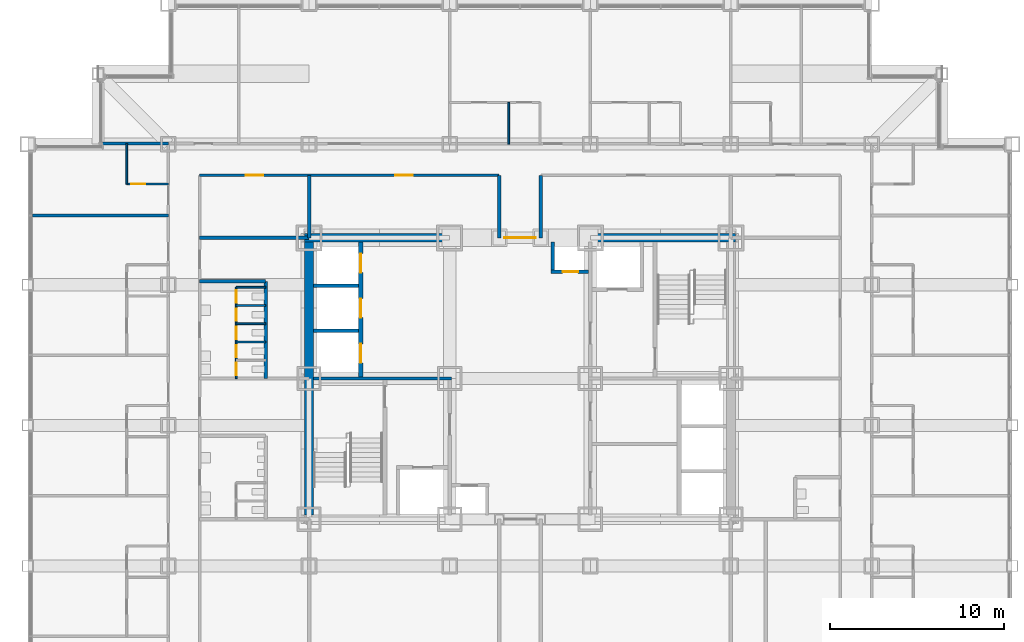
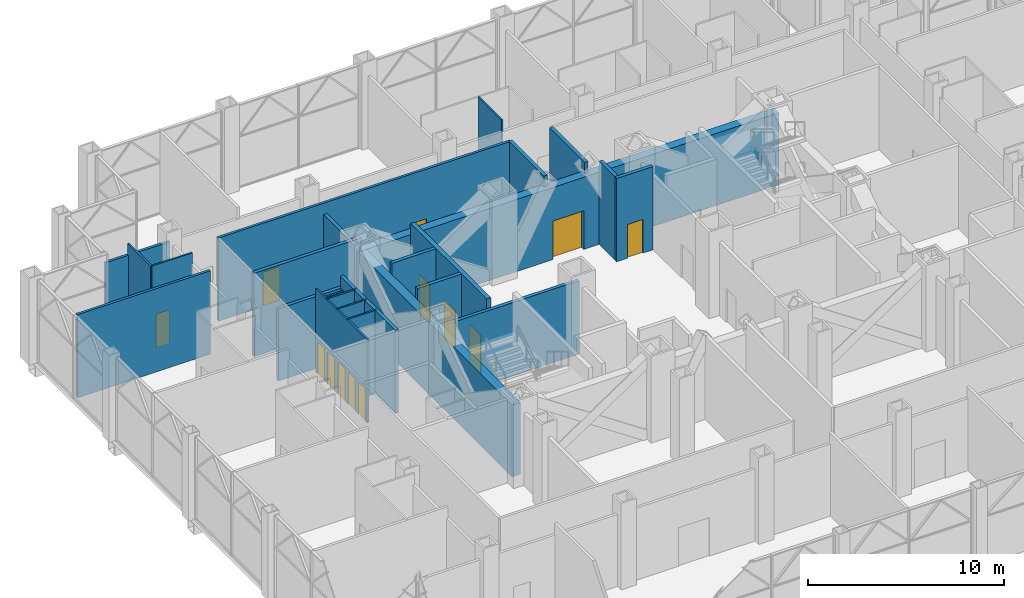
# One storey, part 22 of 26: 25 walls, 13 doors, 13 openings.
"""IFC4 building model written with IfcOpenShell, lengths in metres."""

from ifc_helpers import new_model, si_unit, direction, frame, frame_2d, origin, place, context, subcontext, project, spatial, rectangle, extrude, material, layer, layer_set, type_object, element, fill, save


model = new_model("IFC4")

# Units and contexts
model_context = context("Model", 3, precision=1e-05, world=origin(), true_north=direction((0.0, 1.0)))
body_context = subcontext(model_context, "Body", "Model", "MODEL_VIEW")
ifc_project = project(units=[si_unit("LENGTHUNIT", "METRE"), si_unit("AREAUNIT", "SQUARE_METRE"), si_unit("VOLUMEUNIT", "CUBIC_METRE"), si_unit("PLANEANGLEUNIT", "RADIAN"), si_unit("MASSUNIT", "GRAM", prefix="KILO")], contexts=[model_context])

# Site, building, storey
site_placement = place(None, origin())
site = spatial("IfcSite", under=ifc_project, at=site_placement, CompositionType="ELEMENT")
building_placement = place(site_placement, origin())
building = spatial("IfcBuilding", under=site, at=building_placement, Name="Kopane Lantern Tower", CompositionType="ELEMENT")
storey_placement = place(building_placement, frame((0.0, 0.0, 98.0)))
storey = spatial("IfcBuildingStorey", under=building, at=storey_placement, Name="L24", CompositionType="ELEMENT", Elevation=98.0)

# Walls
ifc_material_1 = material(Name="Moisture-resistant board on steel studs", Category="steel")
ifc_layer_1 = layer(ifc_material_1, 0.10009765625)
ifc_layer_set_1 = layer_set([ifc_layer_1], Name="BATHROOM WALL 100")
wall_type_1 = type_object("IfcWallType", Name="BATHROOM WALL 100", PredefinedType="PARTITIONING", material=ifc_layer_set_1)
wall_1_placement = place(storey_placement, frame((27.699951171875, 45.89990234375, 0.0), z_axis=(0.0, 0.0, 1.0), x_axis=(0.0, 1.0, 0.0)))
element("IfcWall", 1, at=wall_1_placement, inside=storey, type_object=wall_type_1, Name="Bathroom Wall 100 L24", PredefinedType="PARTITIONING", context=body_context, shape_type="SweptSolid", body=[
    extrude(rectangle(XDim=2.400146484375, YDim=0.10009765625, at=frame_2d((1.2001953125, 0.0))), origin(), (0.0, 0.0, 1.0), 5.18994140625),
])
wall_2_placement = place(storey_placement, frame((5.699951171875, 43.60009765625, 0.0), z_axis=(0.0, 0.0, 1.0), x_axis=(0.0, 1.0, 0.0)))
element("IfcWall", 2, at=wall_2_placement, inside=storey, type_object=wall_type_1, Name="Bathroom Wall 100 L24", PredefinedType="PARTITIONING", context=body_context, shape_type="SweptSolid", body=[
    extrude(rectangle(XDim=2.3349609375, YDim=0.10009765625, at=frame_2d((1.16748046875, 0.0))), origin(), (0.0, 0.0, 1.0), 5.18994140625),
])

# Wall, opening, door
wall_3_placement = place(storey_placement, frame((8.10009765625, 43.60009765625, 0.0), z_axis=(0.0, 0.0, 1.0), x_axis=(-1.0, 0.0, 0.0)))
wall_3 = element("IfcWall", 3, at=wall_3_placement, inside=storey, type_object=wall_type_1, Name="Bathroom Wall 100 L24", PredefinedType="PARTITIONING", context=body_context, shape_type="SweptSolid", body=[
    extrude(rectangle(XDim=2.400146484375, YDim=0.10009765625, at=frame_2d((1.2001953125, 0.0))), origin(), (0.0, 0.0, 1.0), 5.18994140625),
])
opening_1_placement = place(wall_3_placement, frame((1.35009765625, 0.0, 0.0)))
opening_1 = element("IfcOpeningElement", 4, at=opening_1_placement, cuts=wall_3, Name="Opening L24-041", PredefinedType="OPENING", context=body_context, shape_type="SweptSolid", body=[
    extrude(rectangle(XDim=0.800048828125, YDim=2.10009765625, at=frame_2d((0.39990234375, 1.050048828125))), frame((0.0, 0.06005859375, 0.0), z_axis=(0.0, -1.0, 0.0), x_axis=(1.0, 0.0, 0.0)), (0.0, 0.0, 1.0), 0.1201171875),
])
ifc_material_2 = material(Name="Timber door set", Category="wood")
door_type_1 = type_object("IfcDoorType", Name="DOOR D2 800x2100", OperationType="SINGLE_SWING_LEFT", PredefinedType="DOOR", material=ifc_material_2)
door_1_placement = place(opening_1_placement, origin())
door_1 = element("IfcDoor", 5, at=door_1_placement, inside=storey, type_object=door_type_1, Name="Door L24-041", OperationType="SINGLE_SWING_LEFT", OverallHeight=2.10009765625, OverallWidth=0.800048828125, PredefinedType="DOOR", context=body_context, shape_type="SweptSolid", body=[
    extrude(rectangle(XDim=0.800048828125, YDim=2.10009765625, at=frame_2d((0.39990234375, 1.050048828125))), frame((0.0, 0.02490234375, 0.0), z_axis=(0.0, -1.0, 0.0), x_axis=(1.0, 0.0, 0.0)), (0.0, 0.0, 1.0), 0.050048828125),
])
fill(opening_1, door_1)

# Wall, openings, doors
wall_4_placement = place(storey_placement, frame((12.0, 32.39990234375, 0.0), z_axis=(0.0, 0.0, 1.0), x_axis=(0.0, 1.0, 0.0)))
wall_4 = element("IfcWall", 6, at=wall_4_placement, inside=storey, type_object=wall_type_1, Name="Bathroom Wall 100 L24", PredefinedType="PARTITIONING", context=body_context, shape_type="SweptSolid", body=[
    extrude(rectangle(XDim=5.25, YDim=0.10009765625, at=frame_2d((2.625, 0.0))), origin(), (0.0, 0.0, 1.0), 5.18994140625),
])
opening_2_placement = place(wall_4_placement, frame((0.199951171875, 0.0, 0.0)))
opening_2 = element("IfcOpeningElement", 7, at=opening_2_placement, cuts=wall_4, Name="Opening L24-061", PredefinedType="OPENING", context=body_context, shape_type="SweptSolid", body=[
    extrude(rectangle(XDim=0.699951171875, YDim=2.0, at=frame_2d((0.35009765625, 1.0))), frame((0.0, 0.06005859375, 0.0), z_axis=(0.0, -1.0, 0.0), x_axis=(1.0, 0.0, 0.0)), (0.0, 0.0, 1.0), 0.1201171875),
])
opening_3_placement = place(wall_4_placement, frame((1.22509765625, 0.0, 0.0)))
opening_3 = element("IfcOpeningElement", 8, at=opening_3_placement, cuts=wall_4, Name="Opening L24-062", PredefinedType="OPENING", context=body_context, shape_type="SweptSolid", body=[
    extrude(rectangle(XDim=0.699951171875, YDim=2.0, at=frame_2d((0.35009765625, 1.0))), frame((0.0, 0.06005859375, 0.0), z_axis=(0.0, -1.0, 0.0), x_axis=(1.0, 0.0, 0.0)), (0.0, 0.0, 1.0), 0.1201171875),
])
opening_4_placement = place(wall_4_placement, frame((2.27490234375, 0.0, 0.0)))
opening_4 = element("IfcOpeningElement", 9, at=opening_4_placement, cuts=wall_4, Name="Opening L24-063", PredefinedType="OPENING", context=body_context, shape_type="SweptSolid", body=[
    extrude(rectangle(XDim=0.699951171875, YDim=2.0, at=frame_2d((0.35009765625, 1.0))), frame((0.0, 0.06005859375, 0.0), z_axis=(0.0, -1.0, 0.0), x_axis=(1.0, 0.0, 0.0)), (0.0, 0.0, 1.0), 0.1201171875),
])
opening_5_placement = place(wall_4_placement, frame((3.324951171875, 0.0, 0.0)))
opening_5 = element("IfcOpeningElement", 10, at=opening_5_placement, cuts=wall_4, Name="Opening L24-064", PredefinedType="OPENING", context=body_context, shape_type="SweptSolid", body=[
    extrude(rectangle(XDim=0.699951171875, YDim=2.0, at=frame_2d((0.35009765625, 1.0))), frame((0.0, 0.06005859375, 0.0), z_axis=(0.0, -1.0, 0.0), x_axis=(1.0, 0.0, 0.0)), (0.0, 0.0, 1.0), 0.1201171875),
])
opening_6_placement = place(wall_4_placement, frame((4.375, 0.0, 0.0)))
opening_6 = element("IfcOpeningElement", 11, at=opening_6_placement, cuts=wall_4, Name="Opening L24-065", PredefinedType="OPENING", context=body_context, shape_type="SweptSolid", body=[
    extrude(rectangle(XDim=0.699951171875, YDim=2.0, at=frame_2d((0.35009765625, 1.0))), frame((0.0, 0.06005859375, 0.0), z_axis=(0.0, -1.0, 0.0), x_axis=(1.0, 0.0, 0.0)), (0.0, 0.0, 1.0), 0.1201171875),
])
ifc_material_3 = material(Name="Timber door set", Category="wood")
door_type_2 = type_object("IfcDoorType", Name="DOOR D13 700x2000 WC CUBICLE", OperationType="SINGLE_SWING_LEFT", PredefinedType="DOOR", material=ifc_material_3)
door_2_placement = place(opening_2_placement, origin())
door_2 = element("IfcDoor", 12, at=door_2_placement, inside=storey, type_object=door_type_2, Name="Door L24-061", OperationType="SINGLE_SWING_LEFT", OverallHeight=2.0, OverallWidth=0.699951171875, PredefinedType="DOOR", context=body_context, shape_type="SweptSolid", body=[
    extrude(rectangle(XDim=0.699951171875, YDim=2.0, at=frame_2d((0.35009765625, 1.0))), frame((0.0, 0.02490234375, 0.0), z_axis=(0.0, -1.0, 0.0), x_axis=(1.0, 0.0, 0.0)), (0.0, 0.0, 1.0), 0.050048828125),
])
fill(opening_2, door_2)
door_3_placement = place(opening_3_placement, origin())
door_3 = element("IfcDoor", 13, at=door_3_placement, inside=storey, type_object=door_type_2, Name="Door L24-062", OperationType="SINGLE_SWING_RIGHT", OverallHeight=2.0, OverallWidth=0.699951171875, PredefinedType="DOOR", context=body_context, shape_type="SweptSolid", body=[
    extrude(rectangle(XDim=0.699951171875, YDim=2.0, at=frame_2d((0.35009765625, 1.0))), frame((0.0, 0.02490234375, 0.0), z_axis=(0.0, -1.0, 0.0), x_axis=(1.0, 0.0, 0.0)), (0.0, 0.0, 1.0), 0.050048828125),
])
fill(opening_3, door_3)
door_4_placement = place(opening_4_placement, origin())
door_4 = element("IfcDoor", 14, at=door_4_placement, inside=storey, type_object=door_type_2, Name="Door L24-063", OperationType="SINGLE_SWING_LEFT", OverallHeight=2.0, OverallWidth=0.699951171875, PredefinedType="DOOR", context=body_context, shape_type="SweptSolid", body=[
    extrude(rectangle(XDim=0.699951171875, YDim=2.0, at=frame_2d((0.35009765625, 1.0))), frame((0.0, 0.02490234375, 0.0), z_axis=(0.0, -1.0, 0.0), x_axis=(1.0, 0.0, 0.0)), (0.0, 0.0, 1.0), 0.050048828125),
])
fill(opening_4, door_4)
door_5_placement = place(opening_5_placement, origin())
door_5 = element("IfcDoor", 15, at=door_5_placement, inside=storey, type_object=door_type_2, Name="Door L24-064", OperationType="SINGLE_SWING_RIGHT", OverallHeight=2.0, OverallWidth=0.699951171875, PredefinedType="DOOR", context=body_context, shape_type="SweptSolid", body=[
    extrude(rectangle(XDim=0.699951171875, YDim=2.0, at=frame_2d((0.35009765625, 1.0))), frame((0.0, 0.02490234375, 0.0), z_axis=(0.0, -1.0, 0.0), x_axis=(1.0, 0.0, 0.0)), (0.0, 0.0, 1.0), 0.050048828125),
])
fill(opening_5, door_5)
door_6_placement = place(opening_6_placement, origin())
door_6 = element("IfcDoor", 16, at=door_6_placement, inside=storey, type_object=door_type_2, Name="Door L24-065", OperationType="SINGLE_SWING_LEFT", OverallHeight=2.0, OverallWidth=0.699951171875, PredefinedType="DOOR", context=body_context, shape_type="SweptSolid", body=[
    extrude(rectangle(XDim=0.699951171875, YDim=2.0, at=frame_2d((0.35009765625, 1.0))), frame((0.0, 0.02490234375, 0.0), z_axis=(0.0, -1.0, 0.0), x_axis=(1.0, 0.0, 0.0)), (0.0, 0.0, 1.0), 0.050048828125),
])
fill(opening_6, door_6)

# Walls
for number, where, z_axis, x_axis, name in (
    (17, (12.0, 34.5, 0.0), (0.0, 0.0, 1.0), (1.0, 0.0, 0.0), "Bathroom Wall 100 L24"),
    (18, (12.0, 35.550048828125, 0.0), (0.0, 0.0, 1.0), (1.0, 0.0, 0.0), "Bathroom Wall 100 L24"),
    (19, (12.0, 36.60009765625, 0.0), (0.0, 0.0, 1.0), (1.0, 0.0, 0.0), "Bathroom Wall 100 L24"),
):
    element("IfcWall", number, at=place(storey_placement, frame(where, z_axis=z_axis, x_axis=x_axis)), inside=storey, type_object=wall_type_1, Name=name, PredefinedType="PARTITIONING", context=body_context, shape_type="SweptSolid", body=[
        extrude(rectangle(XDim=1.699951171875, YDim=0.10009765625, at=frame_2d((0.85009765625, 0.0))), origin(), (0.0, 0.0, 1.0), 5.18994140625),
    ])
wall_5_placement = place(storey_placement, frame((12.0, 37.64990234375, 0.0), z_axis=(0.0, 0.0, 1.0), x_axis=(1.0, 0.0, 0.0)))
element("IfcWall", 20, at=wall_5_placement, inside=storey, type_object=wall_type_1, Name="Bathroom Wall 100 L24", PredefinedType="PARTITIONING", context=body_context, shape_type="SweptSolid", body=[
    extrude(rectangle(XDim=1.699951171875, YDim=0.10009765625, at=frame_2d((0.85009765625, 0.0))), origin(), (0.0, 0.0, 1.0), 4.489990234375),
])

# Wall, opening, door
ifc_material_4 = material(Name="Gypsum shaft wall EI 120", Category="gypsum")
ifc_layer_2 = layer(ifc_material_4, 0.5)
ifc_layer_set_2 = layer_set([ifc_layer_2], Name="CORE PERIMETER WALL 500 EI 120")
wall_type_2 = type_object("IfcWallType", Name="CORE PERIMETER WALL 500 EI 120", PredefinedType="SOLIDWALL", material=ifc_layer_set_2)
wall_6_placement = place(storey_placement, frame((15.949951171875, 40.5, 0.0), z_axis=(0.0, 0.0, 1.0), x_axis=(1.0, 0.0, 0.0)))
wall_6 = element("IfcWall", 21, at=wall_6_placement, inside=storey, type_object=wall_type_2, Name="Core shaft wall L24 PN", PredefinedType="SOLIDWALL", context=body_context, shape_type="SweptSolid", body=[
    extrude(rectangle(XDim=24.800048828125, YDim=0.5, at=frame_2d((12.39990234375, 0.0))), origin(), (0.0, 0.0, 1.0), 4.489990234375),
])
opening_7_placement = place(wall_6_placement, frame((11.5, 0.0, 0.0)))
opening_7 = element("IfcOpeningElement", 22, at=opening_7_placement, cuts=wall_6, Name="Opening 24.CE-N", PredefinedType="OPENING", context=body_context, shape_type="SweptSolid", body=[
    extrude(rectangle(XDim=1.800048828125, YDim=2.39990234375, at=frame_2d((0.89990234375, 1.199951171875))), frame((0.0, 0.260009765625, 0.0), z_axis=(0.0, -1.0, 0.0), x_axis=(1.0, 0.0, 0.0)), (0.0, 0.0, 1.0), 0.52001953125),
])
ifc_material_5 = material(Name="Steel door set", Category="steel")
door_type_3 = type_object("IfcDoorType", Name="CORE ENTRY DOOR 1800x2400 FD60S", OperationType="DOUBLE_DOOR_SINGLE_SWING", PredefinedType="DOOR", material=ifc_material_5)
door_7_placement = place(opening_7_placement, origin())
door_7 = element("IfcDoor", 23, at=door_7_placement, inside=storey, type_object=door_type_3, Name="Core entry door L24 north", OperationType="DOUBLE_DOOR_SINGLE_SWING", OverallHeight=2.39990234375, OverallWidth=1.800048828125, PredefinedType="DOOR", context=body_context, shape_type="SweptSolid", body=[
    extrude(rectangle(XDim=1.800048828125, YDim=2.39990234375, at=frame_2d((0.89990234375, 1.199951171875))), frame((0.0, 0.02490234375, 0.0), z_axis=(0.0, -1.0, 0.0), x_axis=(1.0, 0.0, 0.0)), (0.0, 0.0, 1.0), 0.050048828125),
])
fill(opening_7, door_7)

# Wall
wall_7_placement = place(storey_placement, frame((16.199951171875, 24.550048828125, 0.0), z_axis=(0.0, 0.0, 1.0), x_axis=(0.0, 1.0, 0.0)))
element("IfcWall", 24, at=wall_7_placement, inside=storey, type_object=wall_type_2, Name="Core shaft wall L24 PW", PredefinedType="SOLIDWALL", context=body_context, shape_type="SweptSolid", body=[
    extrude(rectangle(XDim=15.699951171875, YDim=0.5, at=frame_2d((7.85009765625, 0.0))), origin(), (0.0, 0.0, 1.0), 4.489990234375),
])

# Wall, openings, doors
ifc_material_6 = material(Name="Gypsum shaft wall EI 120", Category="gypsum")
ifc_layer_3 = layer(ifc_material_6, 0.25)
ifc_layer_set_3 = layer_set([ifc_layer_3], Name="CORE SHAFT WALL 250 EI 120")
wall_type_3 = type_object("IfcWallType", Name="CORE SHAFT WALL 250 EI 120", PredefinedType="SOLIDWALL", material=ifc_layer_set_3)
wall_8_placement = place(storey_placement, frame((19.175048828125, 32.5, 0.0), z_axis=(0.0, 0.0, 1.0), x_axis=(0.0, 1.0, 0.0)))
wall_8 = element("IfcWall", 25, at=wall_8_placement, inside=storey, type_object=wall_type_3, Name="Core shaft wall L24 XLH", PredefinedType="SOLIDWALL", context=body_context, shape_type="SweptSolid", body=[
    extrude(rectangle(XDim=7.75, YDim=0.25, at=frame_2d((3.875, 0.0))), origin(), (0.0, 0.0, 1.0), 5.18994140625),
])
opening_8_placement = place(wall_8_placement, frame((0.800048828125, 0.0, 0.0)))
opening_8 = element("IfcOpeningElement", 26, at=opening_8_placement, cuts=wall_8, Name="Opening 24.LD-LH1", PredefinedType="OPENING", context=body_context, shape_type="SweptSolid", body=[
    extrude(rectangle(XDim=1.10009765625, YDim=2.39990234375, at=frame_2d((0.550048828125, 1.199951171875))), frame((0.0, 0.135009765625, 0.0), z_axis=(0.0, -1.0, 0.0), x_axis=(1.0, 0.0, 0.0)), (0.0, 0.0, 1.0), 0.27001953125),
])
opening_9_placement = place(wall_8_placement, frame((3.39990234375, 0.0, 0.0)))
opening_9 = element("IfcOpeningElement", 27, at=opening_9_placement, cuts=wall_8, Name="Opening 24.LD-LH2", PredefinedType="OPENING", context=body_context, shape_type="SweptSolid", body=[
    extrude(rectangle(XDim=1.10009765625, YDim=2.39990234375, at=frame_2d((0.550048828125, 1.199951171875))), frame((0.0, 0.135009765625, 0.0), z_axis=(0.0, -1.0, 0.0), x_axis=(1.0, 0.0, 0.0)), (0.0, 0.0, 1.0), 0.27001953125),
])
opening_10_placement = place(wall_8_placement, frame((6.0, 0.0, 0.0)))
opening_10 = element("IfcOpeningElement", 28, at=opening_10_placement, cuts=wall_8, Name="Opening 24.LD-LH3", PredefinedType="OPENING", context=body_context, shape_type="SweptSolid", body=[
    extrude(rectangle(XDim=1.10009765625, YDim=2.39990234375, at=frame_2d((0.550048828125, 1.199951171875))), frame((0.0, 0.135009765625, 0.0), z_axis=(0.0, -1.0, 0.0), x_axis=(1.0, 0.0, 0.0)), (0.0, 0.0, 1.0), 0.27001953125),
])
ifc_material_7 = material(Name="Steel door set", Category="steel")
door_type_4 = type_object("IfcDoorType", Name="LIFT LANDING DOOR 1100x2400 FD60", OperationType="DOUBLE_DOOR_SLIDING", PredefinedType="DOOR", material=ifc_material_7)
door_8_placement = place(opening_8_placement, origin())
door_8 = element("IfcDoor", 29, at=door_8_placement, inside=storey, type_object=door_type_4, Name="Landing door LH1 L24", OperationType="DOUBLE_DOOR_SLIDING", OverallHeight=2.39990234375, OverallWidth=1.10009765625, PredefinedType="DOOR", context=body_context, shape_type="SweptSolid", body=[
    extrude(rectangle(XDim=1.10009765625, YDim=2.39990234375, at=frame_2d((0.550048828125, 1.199951171875))), frame((0.0, 0.02490234375, 0.0), z_axis=(0.0, -1.0, 0.0), x_axis=(1.0, 0.0, 0.0)), (0.0, 0.0, 1.0), 0.050048828125),
])
fill(opening_8, door_8)
door_9_placement = place(opening_9_placement, origin())
door_9 = element("IfcDoor", 30, at=door_9_placement, inside=storey, type_object=door_type_4, Name="Landing door LH2 L24", OperationType="DOUBLE_DOOR_SLIDING", OverallHeight=2.39990234375, OverallWidth=1.10009765625, PredefinedType="DOOR", context=body_context, shape_type="SweptSolid", body=[
    extrude(rectangle(XDim=1.10009765625, YDim=2.39990234375, at=frame_2d((0.550048828125, 1.199951171875))), frame((0.0, 0.02490234375, 0.0), z_axis=(0.0, -1.0, 0.0), x_axis=(1.0, 0.0, 0.0)), (0.0, 0.0, 1.0), 0.050048828125),
])
fill(opening_9, door_9)
door_10_placement = place(opening_10_placement, origin())
door_10 = element("IfcDoor", 31, at=door_10_placement, inside=storey, type_object=door_type_4, Name="Landing door LH3 L24", OperationType="DOUBLE_DOOR_SLIDING", OverallHeight=2.39990234375, OverallWidth=1.10009765625, PredefinedType="DOOR", context=body_context, shape_type="SweptSolid", body=[
    extrude(rectangle(XDim=1.10009765625, YDim=2.39990234375, at=frame_2d((0.550048828125, 1.199951171875))), frame((0.0, 0.02490234375, 0.0), z_axis=(0.0, -1.0, 0.0), x_axis=(1.0, 0.0, 0.0)), (0.0, 0.0, 1.0), 0.050048828125),
])
fill(opening_10, door_10)

ifc_material_8 = material(Name="Gypsum board on steel studs", Category="steel")
ifc_layer_4 = layer(ifc_material_8, 0.14990234375)
ifc_layer_set_4 = layer_set([ifc_layer_4], Name="CORRIDOR WALL 150 EI 60")
wall_type_4 = type_object("IfcWallType", Name="CORRIDOR WALL 150 EI 60", PredefinedType="PARTITIONING", material=ifc_layer_set_4)
wall_9_placement = place(storey_placement, frame((27.139892578125, 44.10009765625, 0.0), z_axis=(0.0, 0.0, 1.0), x_axis=(-1.0, 0.0, 0.0)))
wall_9 = element("IfcWall", 32, at=wall_9_placement, inside=storey, type_object=wall_type_4, Name="Corridor Wall 150 Ei 60 L24", PredefinedType="PARTITIONING", context=body_context, shape_type="SweptSolid", body=[
    extrude(rectangle(XDim=17.239990234375, YDim=0.14990234375, at=frame_2d((8.6201171875, 0.0))), origin(), (0.0, 0.0, 1.0), 5.18994140625),
])
opening_11_placement = place(wall_9_placement, frame((13.590087890625, 0.0, 0.0)))
opening_11 = element("IfcOpeningElement", 33, at=opening_11_placement, cuts=wall_9, Name="Opening L24-013", PredefinedType="OPENING", context=body_context, shape_type="SweptSolid", body=[
    extrude(rectangle(XDim=1.0, YDim=2.10009765625, at=frame_2d((0.5, 1.050048828125))), frame((0.0, 0.0849609375, 0.0), z_axis=(0.0, -1.0, 0.0), x_axis=(1.0, 0.0, 0.0)), (0.0, 0.0, 1.0), 0.169921875),
])
opening_12_placement = place(wall_9_placement, frame((4.965087890625, 0.0, 0.0)))
opening_12 = element("IfcOpeningElement", 34, at=opening_12_placement, cuts=wall_9, Name="Opening L24-014", PredefinedType="OPENING", context=body_context, shape_type="SweptSolid", body=[
    extrude(rectangle(XDim=1.0, YDim=2.10009765625, at=frame_2d((0.5, 1.050048828125))), frame((0.0, 0.0849609375, 0.0), z_axis=(0.0, -1.0, 0.0), x_axis=(1.0, 0.0, 0.0)), (0.0, 0.0, 1.0), 0.169921875),
])
ifc_material_9 = material(Name="Steel door set", Category="steel")
door_type_5 = type_object("IfcDoorType", Name="DOOR D5 1000x2100 FD60", OperationType="SINGLE_SWING_LEFT", PredefinedType="DOOR", material=ifc_material_9)
door_11_placement = place(opening_11_placement, origin())
door_11 = element("IfcDoor", 35, at=door_11_placement, inside=storey, type_object=door_type_5, Name="Door L24-013", OperationType="SINGLE_SWING_RIGHT", OverallHeight=2.10009765625, OverallWidth=1.0, PredefinedType="DOOR", context=body_context, shape_type="SweptSolid", body=[
    extrude(rectangle(XDim=1.0, YDim=2.10009765625, at=frame_2d((0.5, 1.050048828125))), frame((0.0, 0.02490234375, 0.0), z_axis=(0.0, -1.0, 0.0), x_axis=(1.0, 0.0, 0.0)), (0.0, 0.0, 1.0), 0.050048828125),
])
fill(opening_11, door_11)
door_12_placement = place(opening_12_placement, origin())
door_12 = element("IfcDoor", 36, at=door_12_placement, inside=storey, type_object=door_type_5, Name="Door L24-014", OperationType="SINGLE_SWING_LEFT", OverallHeight=2.10009765625, OverallWidth=1.0, PredefinedType="DOOR", context=body_context, shape_type="SweptSolid", body=[
    extrude(rectangle(XDim=1.0, YDim=2.10009765625, at=frame_2d((0.5, 1.050048828125))), frame((0.0, 0.02490234375, 0.0), z_axis=(0.0, -1.0, 0.0), x_axis=(1.0, 0.0, 0.0)), (0.0, 0.0, 1.0), 0.050048828125),
])
fill(opening_12, door_12)

# Walls
ifc_material_10 = material(Name="Gypsum board on steel studs", Category="steel")
ifc_layer_5 = layer(ifc_material_10, 0.14990234375)
ifc_layer_set_5 = layer_set([ifc_layer_5], Name="DEMISING WALL 150 EI 60")
wall_type_5 = type_object("IfcWallType", Name="DEMISING WALL 150 EI 60", PredefinedType="PARTITIONING", material=ifc_layer_set_5)
wall_10_placement = place(storey_placement, frame((8.10009765625, 41.78759765625, 0.0), z_axis=(0.0, 0.0, 1.0), x_axis=(-1.0, 0.0, 0.0)))
element("IfcWall", 37, at=wall_10_placement, inside=storey, type_object=wall_type_5, Name="Demising Wall 150 Ei 60 L24", PredefinedType="PARTITIONING", context=body_context, shape_type="SweptSolid", body=[
    extrude(rectangle(XDim=7.834716796875, YDim=0.14990234375, at=frame_2d((3.91748046875, 0.0))), origin(), (0.0, 0.0, 1.0), 5.18994140625),
])
wall_11_placement = place(storey_placement, frame((4.3154296875, 45.93505859375, 0.0), z_axis=(0.0, 0.0, 1.0), x_axis=(1.0, 0.0, 0.0)))
element("IfcWall", 38, at=wall_11_placement, inside=storey, type_object=wall_type_5, Name="Demising Wall 150 Ei 60 L24", PredefinedType="PARTITIONING", context=body_context, shape_type="SweptSolid", body=[
    extrude(rectangle(XDim=3.78466796875, YDim=0.14990234375, at=frame_2d((1.892333984375, 0.0))), origin(), (0.0, 0.0, 1.0), 4.489990234375),
])
ifc_material_11 = material(Name="Concrete masonry", Category="masonry")
ifc_layer_6 = layer(ifc_material_11, 0.199951171875)
ifc_layer_set_6 = layer_set([ifc_layer_6], Name="PLANT ROOM WALL 200 EI 120")
wall_type_6 = type_object("IfcWallType", Name="PLANT ROOM WALL 200 EI 120", PredefinedType="SOLIDWALL", material=ifc_layer_set_6)
wall_12_placement = place(storey_placement, frame((9.89990234375, 38.0, 0.0), z_axis=(0.0, 0.0, 1.0), x_axis=(1.0, 0.0, 0.0)))
element("IfcWall", 39, at=wall_12_placement, inside=storey, type_object=wall_type_6, Name="Plant Room Wall 200 Ei 120 L24", PredefinedType="SOLIDWALL", context=body_context, shape_type="SweptSolid", body=[
    extrude(rectangle(XDim=3.800048828125, YDim=0.199951171875, at=frame_2d((1.89990234375, 0.0))), origin(), (0.0, 0.0, 1.0), 4.489990234375),
])
wall_13_placement = place(storey_placement, frame((13.699951171875, 32.39990234375, 0.0), z_axis=(0.0, 0.0, 1.0), x_axis=(0.0, 1.0, 0.0)))
element("IfcWall", 40, at=wall_13_placement, inside=storey, type_object=wall_type_6, Name="Plant Room Wall 200 Ei 120 L24", PredefinedType="SOLIDWALL", context=body_context, shape_type="SweptSolid", body=[
    extrude(rectangle(XDim=5.60009765625, YDim=0.199951171875, at=frame_2d((2.800048828125, 0.0))), origin(), (0.0, 0.0, 1.0), 5.18994140625),
])
wall_14_placement = place(storey_placement, frame((16.199951171875, 40.5, 0.0), z_axis=(0.0, 0.0, 1.0), x_axis=(0.0, 1.0, 0.0)))
element("IfcWall", 41, at=wall_14_placement, inside=storey, type_object=wall_type_6, Name="Plant Room Wall 200 Ei 120 L24", PredefinedType="SOLIDWALL", context=body_context, shape_type="SweptSolid", body=[
    extrude(rectangle(XDim=3.60009765625, YDim=0.199951171875, at=frame_2d((1.800048828125, 0.0))), origin(), (0.0, 0.0, 1.0), 4.489990234375),
])
for number, where, z_axis, x_axis, name in (
    (42, (27.14990234375, 40.5, 0.0), (0.0, 0.0, 1.0), (0.0, 1.0, 0.0), "Plant Room Wall 200 Ei 120 L24"),
    (43, (29.550048828125, 40.5, 0.0), (0.0, 0.0, 1.0), (0.0, 1.0, 0.0), "Plant Room Wall 200 Ei 120 L24"),
):
    element("IfcWall", number, at=place(storey_placement, frame(where, z_axis=z_axis, x_axis=x_axis)), inside=storey, type_object=wall_type_6, Name=name, PredefinedType="SOLIDWALL", context=body_context, shape_type="SweptSolid", body=[
        extrude(rectangle(XDim=3.60009765625, YDim=0.199951171875, at=frame_2d((1.800048828125, 0.0))), origin(), (0.0, 0.0, 1.0), 5.18994140625),
    ])
wall_15_placement = place(storey_placement, frame((9.89990234375, 40.5, 0.0), z_axis=(0.0, 0.0, 1.0), x_axis=(1.0, 0.0, 0.0)))
element("IfcWall", 44, at=wall_15_placement, inside=storey, type_object=wall_type_6, Name="Plant Room Wall 200 Ei 120 L24", PredefinedType="SOLIDWALL", context=body_context, shape_type="SweptSolid", body=[
    extrude(rectangle(XDim=6.300048828125, YDim=0.199951171875, at=frame_2d((3.14990234375, 0.0))), origin(), (0.0, 0.0, 1.0), 5.18994140625),
])
ifc_material_12 = material(Name="Gypsum shaft wall EI 120", Category="gypsum")
ifc_layer_7 = layer(ifc_material_12, 0.199951171875)
ifc_layer_set_7 = layer_set([ifc_layer_7], Name="SHAFT WALL 200 EI 120")
wall_type_7 = type_object("IfcWallType", Name="SHAFT WALL 200 EI 120", PredefinedType="SOLIDWALL", material=ifc_layer_set_7)
wall_16_placement = place(storey_placement, frame((16.449951171875, 32.39990234375, 0.0), z_axis=(0.0, 0.0, 1.0), x_axis=(1.0, 0.0, 0.0)))
element("IfcWall", 45, at=wall_16_placement, inside=storey, type_object=wall_type_7, Name="Core shaft wall L24 Y324W", PredefinedType="SOLIDWALL", context=body_context, shape_type="SweptSolid", body=[
    extrude(rectangle(XDim=7.949951171875, YDim=0.199951171875, at=frame_2d((3.97509765625, 0.0))), origin(), (0.0, 0.0, 1.0), 4.577880859375),
])
for number, where, z_axis, x_axis, name in (
    (46, (16.449951171875, 35.14990234375, 0.0), (0.0, 0.0, 1.0), (1.0, 0.0, 0.0), "Core shaft wall L24 YLH12"),
    (47, (16.449951171875, 37.75, 0.0), (0.0, 0.0, 1.0), (1.0, 0.0, 0.0), "Core shaft wall L24 YLH23"),
):
    element("IfcWall", number, at=place(storey_placement, frame(where, z_axis=z_axis, x_axis=x_axis)), inside=storey, type_object=wall_type_7, Name=name, PredefinedType="SOLIDWALL", context=body_context, shape_type="SweptSolid", body=[
        extrude(rectangle(XDim=2.60009765625, YDim=0.199951171875, at=frame_2d((1.300048828125, 0.0))), origin(), (0.0, 0.0, 1.0), 5.18994140625),
    ])
wall_17_placement = place(storey_placement, frame((30.25, 38.64990234375, 0.0), z_axis=(0.0, 0.0, 1.0), x_axis=(0.0, 1.0, 0.0)))
element("IfcWall", 48, at=wall_17_placement, inside=storey, type_object=wall_type_7, Name="Core shaft wall L24 XRS2", PredefinedType="SOLIDWALL", context=body_context, shape_type="SweptSolid", body=[
    extrude(rectangle(XDim=1.60009765625, YDim=0.199951171875, at=frame_2d((0.800048828125, 0.0))), origin(), (0.0, 0.0, 1.0), 5.18994140625),
])

# Wall, opening, door
wall_18_placement = place(storey_placement, frame((30.14990234375, 38.550048828125, 0.0), z_axis=(0.0, 0.0, 1.0), x_axis=(1.0, 0.0, 0.0)))
wall_18 = element("IfcWall", 49, at=wall_18_placement, inside=storey, type_object=wall_type_7, Name="Core shaft wall L24 YRS2", PredefinedType="SOLIDWALL", context=body_context, shape_type="SweptSolid", body=[
    extrude(rectangle(XDim=2.150146484375, YDim=0.199951171875, at=frame_2d((1.0751953125, 0.0))), origin(), (0.0, 0.0, 1.0), 5.18994140625),
])
opening_13_placement = place(wall_18_placement, frame((0.64990234375, 0.0, 0.0)))
opening_13 = element("IfcOpeningElement", 50, at=opening_13_placement, cuts=wall_18, Name="Opening 24.RS2", PredefinedType="OPENING", context=body_context, shape_type="SweptSolid", body=[
    extrude(rectangle(XDim=0.89990234375, YDim=2.10009765625, at=frame_2d((0.449951171875, 1.050048828125))), frame((0.0, 0.10986328125, 0.0), z_axis=(0.0, -1.0, 0.0), x_axis=(1.0, 0.0, 0.0)), (0.0, 0.0, 1.0), 0.219970703125),
])
ifc_material_13 = material(Name="Steel door set", Category="steel")
door_type_6 = type_object("IfcDoorType", Name="RISER ACCESS DOOR 900x2100 FD60", OperationType="SINGLE_SWING_LEFT", PredefinedType="DOOR", material=ifc_material_13)
door_13_placement = place(opening_13_placement, origin())
door_13 = element("IfcDoor", 51, at=door_13_placement, inside=storey, type_object=door_type_6, Name="Riser access door RS2 L24", OperationType="SINGLE_SWING_LEFT", OverallHeight=2.10009765625, OverallWidth=0.89990234375, PredefinedType="DOOR", context=body_context, shape_type="SweptSolid", body=[
    extrude(rectangle(XDim=0.89990234375, YDim=2.10009765625, at=frame_2d((0.449951171875, 1.050048828125))), frame((0.0, 0.02490234375, 0.0), z_axis=(0.0, -1.0, 0.0), x_axis=(1.0, 0.0, 0.0)), (0.0, 0.0, 1.0), 0.050048828125),
])
fill(opening_13, door_13)

save(model, "model.ifc")
